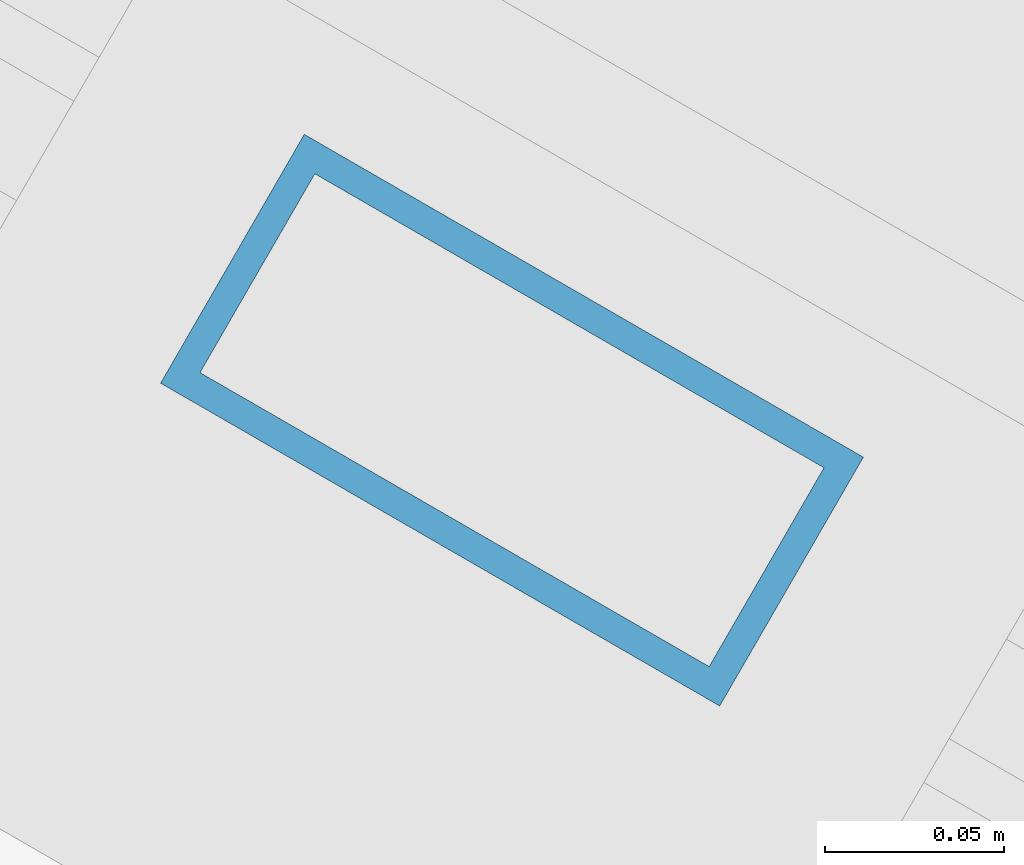
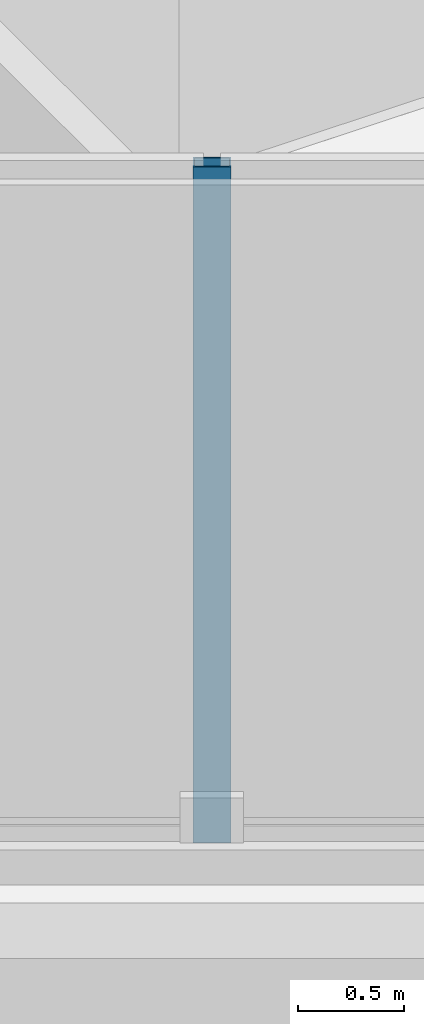
# One storey, part 5 of 29: 1 member, 1 element without a shape of its own.
"""IFC4 building model written with IfcOpenShell, lengths in metres."""

from ifc_helpers import new_model, si_unit, direction, frame, origin, origin_2d, place, context, subcontext, project, spatial, hollow_rectangle, extrude, material, layer, layer_set, material_profile, profile_set, type_object, element, aggregate, save


model = new_model("IFC4")

# Units and contexts
model_context = context("Model", 3, precision=1e-05, world=origin(), true_north=direction((0.0, 1.0)))
body_context = subcontext(model_context, "Body", "Model", "MODEL_VIEW")
ifc_project = project(units=[si_unit("LENGTHUNIT", "METRE"), si_unit("AREAUNIT", "SQUARE_METRE"), si_unit("VOLUMEUNIT", "CUBIC_METRE"), si_unit("PLANEANGLEUNIT", "RADIAN"), si_unit("MASSUNIT", "GRAM", prefix="KILO")], contexts=[model_context])

# Site, building, storey
site_placement = place(None, origin())
site = spatial("IfcSite", under=ifc_project, at=site_placement, CompositionType="ELEMENT")
building_placement = place(site_placement, origin())
building = spatial("IfcBuilding", under=site, at=building_placement, Name="Mersakhor Tower and Convention Hall", CompositionType="ELEMENT")
storey_placement = place(building_placement, frame((0.0, 0.0, 9.60009765625)))
storey = spatial("IfcBuildingStorey", under=building, at=storey_placement, Name="L02", CompositionType="ELEMENT", Elevation=9.60009765625)

# Curtain wall, member
ifc_material_1 = material(Name="Dark solar low-E aluminium curtain wall", Category="aluminium")
ifc_layer = layer(ifc_material_1, 0.18994140625)
ifc_layer_set = layer_set([ifc_layer], Name="Dark solar low-E aluminium curtain wall")
curtain_wall_type = type_object("IfcCurtainWallType", Name="CW-SYS-04", PredefinedType="USERDEFINED", material=ifc_layer_set)
curtain_wall_placement = place(storey_placement, origin())
curtain_wall = element("IfcCurtainWall", 1, at=curtain_wall_placement, inside=storey, type_object=curtain_wall_type, Name="L02 Dark-Glass Curtain Wall F3-B2", ObjectType="CURTAIN WALL", PredefinedType="USERDEFINED")
ifc_material_2 = material(Name="Anodised aluminium EN AW-6063 T6", Category="aluminium")
ifc_material_profile = material_profile(ifc_material_2, hollow_rectangle(XDim=0.080078125, YDim=0.179931640625, WallThickness=0.008056640625, at=origin_2d()), Name="RHS 180x80x8")
ifc_profile_set = profile_set([ifc_material_profile], Name="Anodised aluminium EN AW-6063 T6")
member_type = type_object("IfcMemberType", Name="CWM-180x80", PredefinedType="MULLION", material=ifc_profile_set)
member_placement = place(storey_placement, frame((24.167236328125, 12.392822265625, 0.199951171875), z_axis=(0.0, 0.0, 1.0), x_axis=(-0.50000344889, -0.866023412558, 0.0)))
member = element("IfcMember", 2, at=member_placement, type_object=member_type, Name="CW-04 mullion 2", PredefinedType="MULLION", context=body_context, shape_type="SweptSolid", body=[
    extrude(hollow_rectangle(XDim=0.080078125, YDim=0.179931640625, WallThickness=0.008056640625, at=origin_2d()), origin(), (0.0, 0.0, 1.0), 3.89990234375),
])
aggregate(curtain_wall, [member])

save(model, "model.ifc")
